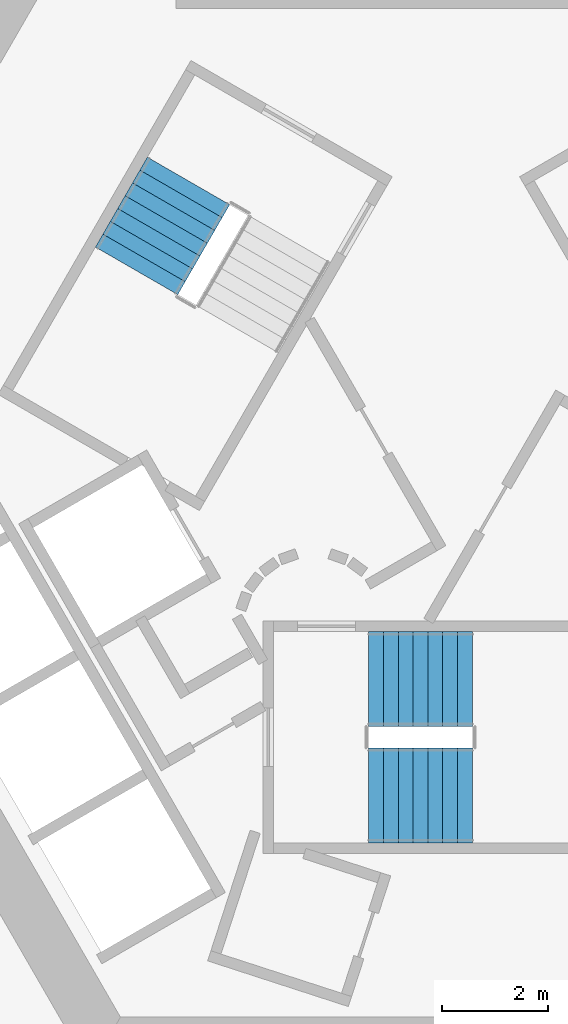
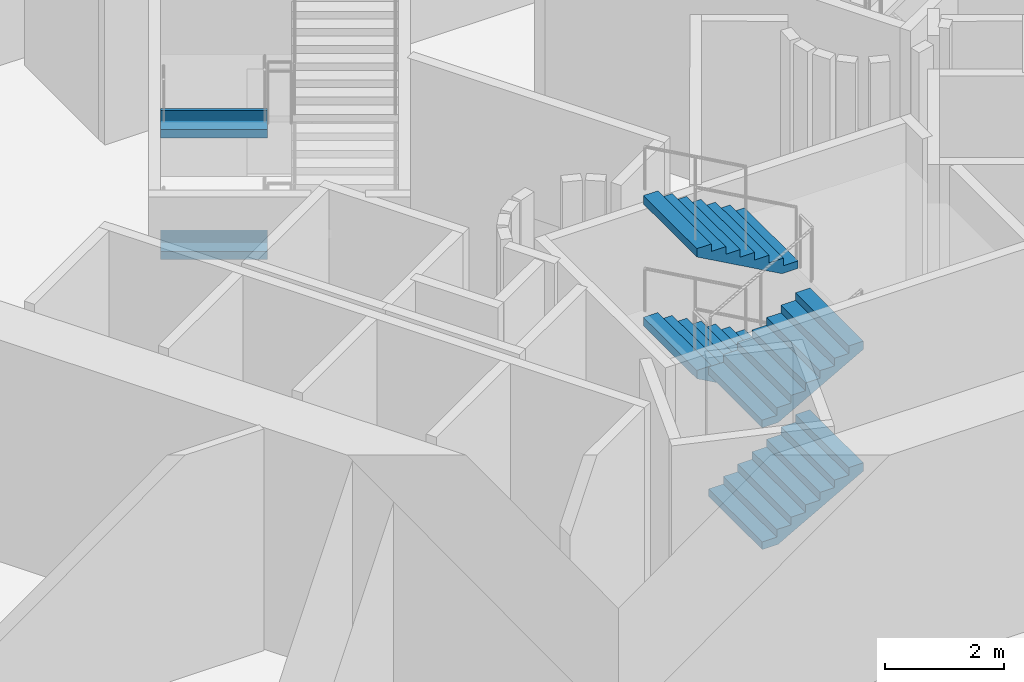
# One storey, part 10 of 16: 6 stair flights, 2 elements without a shape of their own.
"""IFC4 building model written with IfcOpenShell, lengths in metres."""

from ifc_helpers import new_model, si_unit, direction, frame, origin, place, context, subcontext, project, spatial, triangles, material, type_object, element, aggregate, save


model = new_model("IFC4")

# Units and contexts
model_context = context("Model", 3, precision=1e-05, world=origin(), true_north=direction((0.0, 1.0)))
body_context = subcontext(model_context, "Body", "Model", "MODEL_VIEW")
ifc_project = project(units=[si_unit("LENGTHUNIT", "METRE"), si_unit("AREAUNIT", "SQUARE_METRE"), si_unit("VOLUMEUNIT", "CUBIC_METRE"), si_unit("PLANEANGLEUNIT", "RADIAN"), si_unit("MASSUNIT", "GRAM", prefix="KILO")], contexts=[model_context])

# Site, building, storey
site_placement = place(None, origin())
site = spatial("IfcSite", under=ifc_project, at=site_placement, CompositionType="ELEMENT")
building_placement = place(site_placement, origin())
building = spatial("IfcBuilding", under=site, at=building_placement, Name="Entoto Arch Interchange Tower", CompositionType="ELEMENT")
storey_placement = place(building_placement, frame((0.0, 0.0, 25.0)))
storey = spatial("IfcBuildingStorey", under=building, at=storey_placement, Name="L04", CompositionType="ELEMENT", Elevation=25.0)

# Stair, stair flights
ifc_material = material(Name="Concrete C40/50", Category="concrete")
stair_type = type_object("IfcStairType", Name="EXIT STAIR RC 1800", PredefinedType="HALF_TURN_STAIR", material=ifc_material)
stair_1_placement = place(storey_placement, origin())
stair_1 = element("IfcStair", 1, at=stair_1_placement, inside=storey, type_object=stair_type, Name="L04 Exit stair S", PredefinedType="HALF_TURN_STAIR")
stair_flight_type = type_object("IfcStairFlightType", Name="EXIT STAIR FLIGHT RC 1800", PredefinedType="STRAIGHT", material=ifc_material)
stair_flight_1_placement = place(storey_placement, frame((-1.64990234375, -4.300048828125, 0.0), z_axis=(0.0, 0.0, 1.0), x_axis=(1.0, 0.0, 0.0)))
stair_flight_1 = element("IfcStairFlight", 2, at=stair_flight_1_placement, type_object=stair_flight_type, Name="ST-S flight 1", NumberOfRisers=8, NumberOfTreads=7, PredefinedType="STRAIGHT", RiserHeight=0.15625, TreadLength=0.28, context=body_context, shape_type="Tessellation", body=[
    triangles([(-0.003, -0.900024, 0.0), (-0.003, -0.900024, 0.15625), (0.28, -0.900024, 0.15625), (0.28, -0.900024, 0.3125), (0.56, -0.900024, 0.3125), (0.56, -0.900024, 0.46875), (0.84, -0.900024, 0.46875), (0.84, -0.900024, 0.625), (1.12, -0.900024, 0.625), (1.12, -0.900024, 0.78125), (1.4, -0.900024, 0.78125), (1.4, -0.900024, 0.9375), (1.68, -0.900024, 0.9375), (1.68, -0.900024, 1.09375), (1.96, -0.900024, 1.09375), (1.963, -0.900024, 1.09375), (1.963, -0.900024, 0.923761), (0.30762, -0.900024, 0.0), (-0.003, 0.900024, 0.0), (-0.003, 0.900024, 0.15625), (0.28, 0.900024, 0.15625), (0.28, 0.900024, 0.3125), (0.56, 0.900024, 0.3125), (0.56, 0.900024, 0.46875), (0.84, 0.900024, 0.46875), (0.84, 0.900024, 0.625), (1.12, 0.900024, 0.625), (1.12, 0.900024, 0.78125), (1.4, 0.900024, 0.78125), (1.4, 0.900024, 0.9375), (1.68, 0.900024, 0.9375), (1.68, 0.900024, 1.09375), (1.96, 0.900024, 1.09375), (1.963, 0.900024, 1.09375), (1.963, 0.900024, 0.923761), (0.30762, 0.900024, 0.0), (-0.003, -0.450012, 0.0), (-0.003, -0.450012, 0.15625), (-0.003, 0.0, 0.0), (-0.003, 0.0, 0.15625), (-0.003, 0.450012, 0.0), (-0.003, 0.450012, 0.15625), (0.28, -0.450012, 0.15625), (0.28, 0.0, 0.15625), (0.28, 0.450012, 0.15625), (0.28, -0.450012, 0.3125), (0.28, 0.0, 0.3125), (0.28, 0.450012, 0.3125), (0.56, -0.450012, 0.3125), (0.56, 0.0, 0.3125), (0.56, 0.450012, 0.3125), (0.56, -0.450012, 0.46875), (0.56, 0.0, 0.46875), (0.56, 0.450012, 0.46875), (0.84, -0.450012, 0.46875), (0.84, 0.0, 0.46875), (0.84, 0.450012, 0.46875), (0.84, -0.450012, 0.625), (0.84, 0.0, 0.625), (0.84, 0.450012, 0.625), (1.12, -0.450012, 0.625), (1.12, 0.0, 0.625), (1.12, 0.450012, 0.625), (1.12, -0.450012, 0.78125), (1.12, 0.0, 0.78125), (1.12, 0.450012, 0.78125), (1.4, -0.450012, 0.78125), (1.4, 0.0, 0.78125), (1.4, 0.450012, 0.78125), (1.4, -0.450012, 0.9375), (1.4, 0.0, 0.9375), (1.4, 0.450012, 0.9375), (1.68, -0.450012, 0.9375), (1.68, 0.0, 0.9375), (1.68, 0.450012, 0.9375), (1.68, -0.450012, 1.09375), (1.68, 0.0, 1.09375), (1.68, 0.450012, 1.09375), (1.96, -0.450012, 1.09375), (1.96, 0.0, 1.09375), (1.96, 0.450012, 1.09375), (1.963, -0.450012, 1.09375), (1.963, 0.0, 1.09375), (1.963, 0.450012, 1.09375), (1.963, -0.450012, 0.923761), (1.963, 0.0, 0.923761), (1.963, 0.450012, 0.923761), (0.30762, -0.450012, 0.0), (0.30762, 0.0, 0.0), (0.30762, 0.450012, 0.0)], [[1, 18, 17], [17, 16, 15], [17, 15, 14], [17, 14, 13], [17, 13, 12], [17, 12, 11], [11, 10, 9], [17, 11, 9], [9, 8, 7], [17, 9, 7], [7, 6, 5], [17, 7, 5], [5, 4, 3], [17, 5, 3], [1, 17, 3], [3, 2, 1], [19, 35, 36], [35, 33, 34], [35, 32, 33], [35, 31, 32], [35, 30, 31], [35, 29, 30], [29, 27, 28], [35, 27, 29], [27, 25, 26], [35, 25, 27], [25, 23, 24], [35, 23, 25], [23, 21, 22], [35, 21, 23], [19, 21, 35], [21, 19, 20], [1, 2, 38], [1, 38, 37], [37, 38, 40], [37, 40, 39], [39, 40, 42], [39, 42, 41], [41, 42, 20], [41, 20, 19], [2, 3, 43], [2, 43, 38], [38, 43, 44], [38, 44, 40], [40, 44, 45], [40, 45, 42], [42, 45, 21], [42, 21, 20], [3, 4, 46], [3, 46, 43], [43, 46, 47], [43, 47, 44], [44, 47, 48], [44, 48, 45], [45, 48, 22], [45, 22, 21], [4, 5, 49], [4, 49, 46], [46, 49, 50], [46, 50, 47], [47, 50, 51], [47, 51, 48], [48, 51, 23], [48, 23, 22], [5, 6, 52], [5, 52, 49], [49, 52, 53], [49, 53, 50], [50, 53, 54], [50, 54, 51], [51, 54, 24], [51, 24, 23], [6, 7, 55], [6, 55, 52], [52, 55, 56], [52, 56, 53], [53, 56, 57], [53, 57, 54], [54, 57, 25], [54, 25, 24], [7, 8, 58], [7, 58, 55], [55, 58, 59], [55, 59, 56], [56, 59, 60], [56, 60, 57], [57, 60, 26], [57, 26, 25], [8, 9, 61], [8, 61, 58], [58, 61, 62], [58, 62, 59], [59, 62, 63], [59, 63, 60], [60, 63, 27], [60, 27, 26], [9, 10, 64], [9, 64, 61], [61, 64, 65], [61, 65, 62], [62, 65, 66], [62, 66, 63], [63, 66, 28], [63, 28, 27], [10, 11, 67], [10, 67, 64], [64, 67, 68], [64, 68, 65], [65, 68, 69], [65, 69, 66], [66, 69, 29], [66, 29, 28], [11, 12, 70], [11, 70, 67], [67, 70, 71], [67, 71, 68], [68, 71, 72], [68, 72, 69], [69, 72, 30], [69, 30, 29], [12, 13, 73], [12, 73, 70], [70, 73, 74], [70, 74, 71], [71, 74, 75], [71, 75, 72], [72, 75, 31], [72, 31, 30], [13, 14, 76], [13, 76, 73], [73, 76, 77], [73, 77, 74], [74, 77, 78], [74, 78, 75], [75, 78, 32], [75, 32, 31], [14, 15, 79], [14, 79, 76], [76, 79, 80], [76, 80, 77], [77, 80, 81], [77, 81, 78], [78, 81, 33], [78, 33, 32], [15, 16, 82], [15, 82, 79], [79, 82, 83], [79, 83, 80], [80, 83, 84], [80, 84, 81], [81, 84, 34], [81, 34, 33], [16, 17, 85], [16, 85, 82], [82, 85, 86], [82, 86, 83], [83, 86, 87], [83, 87, 84], [84, 87, 35], [84, 35, 34], [17, 18, 88], [17, 88, 85], [85, 88, 89], [85, 89, 86], [86, 89, 90], [86, 90, 87], [87, 90, 36], [87, 36, 35], [18, 1, 37], [18, 37, 88], [88, 37, 39], [88, 39, 89], [89, 39, 41], [89, 41, 90], [90, 41, 19], [90, 19, 36]], closed=True),
])
stair_flight_2_placement = place(storey_placement, frame((0.31005859375, -2.10009765625, 1.25), z_axis=(0.0, 0.0, 1.0), x_axis=(-1.0, 0.0, 0.0)))
stair_flight_2 = element("IfcStairFlight", 3, at=stair_flight_2_placement, type_object=stair_flight_type, Name="ST-S flight 2", NumberOfRisers=8, NumberOfTreads=7, PredefinedType="STRAIGHT", RiserHeight=0.15625, TreadLength=0.28, context=body_context, shape_type="Tessellation", body=[
    triangles([(-0.003, -0.900024, 0.0), (-0.003, -0.900024, 0.15625), (0.28, -0.900024, 0.15625), (0.28, -0.900024, 0.3125), (0.56, -0.900024, 0.3125), (0.56, -0.900024, 0.46875), (0.84, -0.900024, 0.46875), (0.84, -0.900024, 0.625), (1.12, -0.900024, 0.625), (1.12, -0.900024, 0.78125), (1.4, -0.900024, 0.78125), (1.4, -0.900024, 0.9375), (1.68, -0.900024, 0.9375), (1.68, -0.900024, 1.09375), (1.96, -0.900024, 1.09375), (1.963, -0.900024, 1.09375), (1.963, -0.900024, 0.923761), (0.30762, -0.900024, 0.0), (-0.003, 0.900024, 0.0), (-0.003, 0.900024, 0.15625), (0.28, 0.900024, 0.15625), (0.28, 0.900024, 0.3125), (0.56, 0.900024, 0.3125), (0.56, 0.900024, 0.46875), (0.84, 0.900024, 0.46875), (0.84, 0.900024, 0.625), (1.12, 0.900024, 0.625), (1.12, 0.900024, 0.78125), (1.4, 0.900024, 0.78125), (1.4, 0.900024, 0.9375), (1.68, 0.900024, 0.9375), (1.68, 0.900024, 1.09375), (1.96, 0.900024, 1.09375), (1.963, 0.900024, 1.09375), (1.963, 0.900024, 0.923761), (0.30762, 0.900024, 0.0), (-0.003, -0.450012, 0.0), (-0.003, -0.450012, 0.15625), (-0.003, 0.0, 0.0), (-0.003, 0.0, 0.15625), (-0.003, 0.450012, 0.0), (-0.003, 0.450012, 0.15625), (0.28, -0.450012, 0.15625), (0.28, 0.0, 0.15625), (0.28, 0.450012, 0.15625), (0.28, -0.450012, 0.3125), (0.28, 0.0, 0.3125), (0.28, 0.450012, 0.3125), (0.56, -0.450012, 0.3125), (0.56, 0.0, 0.3125), (0.56, 0.450012, 0.3125), (0.56, -0.450012, 0.46875), (0.56, 0.0, 0.46875), (0.56, 0.450012, 0.46875), (0.84, -0.450012, 0.46875), (0.84, 0.0, 0.46875), (0.84, 0.450012, 0.46875), (0.84, -0.450012, 0.625), (0.84, 0.0, 0.625), (0.84, 0.450012, 0.625), (1.12, -0.450012, 0.625), (1.12, 0.0, 0.625), (1.12, 0.450012, 0.625), (1.12, -0.450012, 0.78125), (1.12, 0.0, 0.78125), (1.12, 0.450012, 0.78125), (1.4, -0.450012, 0.78125), (1.4, 0.0, 0.78125), (1.4, 0.450012, 0.78125), (1.4, -0.450012, 0.9375), (1.4, 0.0, 0.9375), (1.4, 0.450012, 0.9375), (1.68, -0.450012, 0.9375), (1.68, 0.0, 0.9375), (1.68, 0.450012, 0.9375), (1.68, -0.450012, 1.09375), (1.68, 0.0, 1.09375), (1.68, 0.450012, 1.09375), (1.96, -0.450012, 1.09375), (1.96, 0.0, 1.09375), (1.96, 0.450012, 1.09375), (1.963, -0.450012, 1.09375), (1.963, 0.0, 1.09375), (1.963, 0.450012, 1.09375), (1.963, -0.450012, 0.923761), (1.963, 0.0, 0.923761), (1.963, 0.450012, 0.923761), (0.30762, -0.450012, 0.0), (0.30762, 0.0, 0.0), (0.30762, 0.450012, 0.0)], [[1, 18, 17], [17, 16, 15], [17, 15, 14], [17, 14, 13], [17, 13, 12], [17, 12, 11], [11, 10, 9], [17, 11, 9], [9, 8, 7], [17, 9, 7], [7, 6, 5], [17, 7, 5], [5, 4, 3], [17, 5, 3], [1, 17, 3], [3, 2, 1], [19, 35, 36], [35, 33, 34], [35, 32, 33], [35, 31, 32], [35, 30, 31], [35, 29, 30], [29, 27, 28], [35, 27, 29], [27, 25, 26], [35, 25, 27], [25, 23, 24], [35, 23, 25], [23, 21, 22], [35, 21, 23], [19, 21, 35], [21, 19, 20], [1, 2, 38], [1, 38, 37], [37, 38, 40], [37, 40, 39], [39, 40, 42], [39, 42, 41], [41, 42, 20], [41, 20, 19], [2, 3, 43], [2, 43, 38], [38, 43, 44], [38, 44, 40], [40, 44, 45], [40, 45, 42], [42, 45, 21], [42, 21, 20], [3, 4, 46], [3, 46, 43], [43, 46, 47], [43, 47, 44], [44, 47, 48], [44, 48, 45], [45, 48, 22], [45, 22, 21], [4, 5, 49], [4, 49, 46], [46, 49, 50], [46, 50, 47], [47, 50, 51], [47, 51, 48], [48, 51, 23], [48, 23, 22], [5, 6, 52], [5, 52, 49], [49, 52, 53], [49, 53, 50], [50, 53, 54], [50, 54, 51], [51, 54, 24], [51, 24, 23], [6, 7, 55], [6, 55, 52], [52, 55, 56], [52, 56, 53], [53, 56, 57], [53, 57, 54], [54, 57, 25], [54, 25, 24], [7, 8, 58], [7, 58, 55], [55, 58, 59], [55, 59, 56], [56, 59, 60], [56, 60, 57], [57, 60, 26], [57, 26, 25], [8, 9, 61], [8, 61, 58], [58, 61, 62], [58, 62, 59], [59, 62, 63], [59, 63, 60], [60, 63, 27], [60, 27, 26], [9, 10, 64], [9, 64, 61], [61, 64, 65], [61, 65, 62], [62, 65, 66], [62, 66, 63], [63, 66, 28], [63, 28, 27], [10, 11, 67], [10, 67, 64], [64, 67, 68], [64, 68, 65], [65, 68, 69], [65, 69, 66], [66, 69, 29], [66, 29, 28], [11, 12, 70], [11, 70, 67], [67, 70, 71], [67, 71, 68], [68, 71, 72], [68, 72, 69], [69, 72, 30], [69, 30, 29], [12, 13, 73], [12, 73, 70], [70, 73, 74], [70, 74, 71], [71, 74, 75], [71, 75, 72], [72, 75, 31], [72, 31, 30], [13, 14, 76], [13, 76, 73], [73, 76, 77], [73, 77, 74], [74, 77, 78], [74, 78, 75], [75, 78, 32], [75, 32, 31], [14, 15, 79], [14, 79, 76], [76, 79, 80], [76, 80, 77], [77, 80, 81], [77, 81, 78], [78, 81, 33], [78, 33, 32], [15, 16, 82], [15, 82, 79], [79, 82, 83], [79, 83, 80], [80, 83, 84], [80, 84, 81], [81, 84, 34], [81, 34, 33], [16, 17, 85], [16, 85, 82], [82, 85, 86], [82, 86, 83], [83, 86, 87], [83, 87, 84], [84, 87, 35], [84, 35, 34], [17, 18, 88], [17, 88, 85], [85, 88, 89], [85, 89, 86], [86, 89, 90], [86, 90, 87], [87, 90, 36], [87, 36, 35], [18, 1, 37], [18, 37, 88], [88, 37, 39], [88, 39, 89], [89, 39, 41], [89, 41, 90], [90, 41, 19], [90, 19, 36]], closed=True),
])
stair_flight_3_placement = place(storey_placement, frame((-1.64990234375, -4.300048828125, 2.5), z_axis=(0.0, 0.0, 1.0), x_axis=(1.0, 0.0, 0.0)))
stair_flight_3 = element("IfcStairFlight", 4, at=stair_flight_3_placement, type_object=stair_flight_type, Name="ST-S flight 3", NumberOfRisers=8, NumberOfTreads=7, PredefinedType="STRAIGHT", RiserHeight=0.15625, TreadLength=0.28, context=body_context, shape_type="Tessellation", body=[
    triangles([(-0.003, -0.900024, 0.0), (-0.003, -0.900024, 0.15625), (0.28, -0.900024, 0.15625), (0.28, -0.900024, 0.3125), (0.56, -0.900024, 0.3125), (0.56, -0.900024, 0.46875), (0.84, -0.900024, 0.46875), (0.84, -0.900024, 0.625), (1.12, -0.900024, 0.625), (1.12, -0.900024, 0.78125), (1.4, -0.900024, 0.78125), (1.4, -0.900024, 0.9375), (1.68, -0.900024, 0.9375), (1.68, -0.900024, 1.09375), (1.96, -0.900024, 1.09375), (1.963, -0.900024, 1.09375), (1.963, -0.900024, 0.923761), (0.30762, -0.900024, 0.0), (-0.003, 0.900024, 0.0), (-0.003, 0.900024, 0.15625), (0.28, 0.900024, 0.15625), (0.28, 0.900024, 0.3125), (0.56, 0.900024, 0.3125), (0.56, 0.900024, 0.46875), (0.84, 0.900024, 0.46875), (0.84, 0.900024, 0.625), (1.12, 0.900024, 0.625), (1.12, 0.900024, 0.78125), (1.4, 0.900024, 0.78125), (1.4, 0.900024, 0.9375), (1.68, 0.900024, 0.9375), (1.68, 0.900024, 1.09375), (1.96, 0.900024, 1.09375), (1.963, 0.900024, 1.09375), (1.963, 0.900024, 0.923761), (0.30762, 0.900024, 0.0), (-0.003, -0.450012, 0.0), (-0.003, -0.450012, 0.15625), (-0.003, 0.0, 0.0), (-0.003, 0.0, 0.15625), (-0.003, 0.450012, 0.0), (-0.003, 0.450012, 0.15625), (0.28, -0.450012, 0.15625), (0.28, 0.0, 0.15625), (0.28, 0.450012, 0.15625), (0.28, -0.450012, 0.3125), (0.28, 0.0, 0.3125), (0.28, 0.450012, 0.3125), (0.56, -0.450012, 0.3125), (0.56, 0.0, 0.3125), (0.56, 0.450012, 0.3125), (0.56, -0.450012, 0.46875), (0.56, 0.0, 0.46875), (0.56, 0.450012, 0.46875), (0.84, -0.450012, 0.46875), (0.84, 0.0, 0.46875), (0.84, 0.450012, 0.46875), (0.84, -0.450012, 0.625), (0.84, 0.0, 0.625), (0.84, 0.450012, 0.625), (1.12, -0.450012, 0.625), (1.12, 0.0, 0.625), (1.12, 0.450012, 0.625), (1.12, -0.450012, 0.78125), (1.12, 0.0, 0.78125), (1.12, 0.450012, 0.78125), (1.4, -0.450012, 0.78125), (1.4, 0.0, 0.78125), (1.4, 0.450012, 0.78125), (1.4, -0.450012, 0.9375), (1.4, 0.0, 0.9375), (1.4, 0.450012, 0.9375), (1.68, -0.450012, 0.9375), (1.68, 0.0, 0.9375), (1.68, 0.450012, 0.9375), (1.68, -0.450012, 1.09375), (1.68, 0.0, 1.09375), (1.68, 0.450012, 1.09375), (1.96, -0.450012, 1.09375), (1.96, 0.0, 1.09375), (1.96, 0.450012, 1.09375), (1.963, -0.450012, 1.09375), (1.963, 0.0, 1.09375), (1.963, 0.450012, 1.09375), (1.963, -0.450012, 0.923761), (1.963, 0.0, 0.923761), (1.963, 0.450012, 0.923761), (0.30762, -0.450012, 0.0), (0.30762, 0.0, 0.0), (0.30762, 0.450012, 0.0)], [[1, 18, 17], [17, 16, 15], [17, 15, 14], [17, 14, 13], [17, 13, 12], [17, 12, 11], [11, 10, 9], [17, 11, 9], [9, 8, 7], [17, 9, 7], [7, 6, 5], [17, 7, 5], [5, 4, 3], [17, 5, 3], [1, 17, 3], [3, 2, 1], [19, 35, 36], [35, 33, 34], [35, 32, 33], [35, 31, 32], [35, 30, 31], [35, 29, 30], [29, 27, 28], [35, 27, 29], [27, 25, 26], [35, 25, 27], [25, 23, 24], [35, 23, 25], [23, 21, 22], [35, 21, 23], [19, 21, 35], [21, 19, 20], [1, 2, 38], [1, 38, 37], [37, 38, 40], [37, 40, 39], [39, 40, 42], [39, 42, 41], [41, 42, 20], [41, 20, 19], [2, 3, 43], [2, 43, 38], [38, 43, 44], [38, 44, 40], [40, 44, 45], [40, 45, 42], [42, 45, 21], [42, 21, 20], [3, 4, 46], [3, 46, 43], [43, 46, 47], [43, 47, 44], [44, 47, 48], [44, 48, 45], [45, 48, 22], [45, 22, 21], [4, 5, 49], [4, 49, 46], [46, 49, 50], [46, 50, 47], [47, 50, 51], [47, 51, 48], [48, 51, 23], [48, 23, 22], [5, 6, 52], [5, 52, 49], [49, 52, 53], [49, 53, 50], [50, 53, 54], [50, 54, 51], [51, 54, 24], [51, 24, 23], [6, 7, 55], [6, 55, 52], [52, 55, 56], [52, 56, 53], [53, 56, 57], [53, 57, 54], [54, 57, 25], [54, 25, 24], [7, 8, 58], [7, 58, 55], [55, 58, 59], [55, 59, 56], [56, 59, 60], [56, 60, 57], [57, 60, 26], [57, 26, 25], [8, 9, 61], [8, 61, 58], [58, 61, 62], [58, 62, 59], [59, 62, 63], [59, 63, 60], [60, 63, 27], [60, 27, 26], [9, 10, 64], [9, 64, 61], [61, 64, 65], [61, 65, 62], [62, 65, 66], [62, 66, 63], [63, 66, 28], [63, 28, 27], [10, 11, 67], [10, 67, 64], [64, 67, 68], [64, 68, 65], [65, 68, 69], [65, 69, 66], [66, 69, 29], [66, 29, 28], [11, 12, 70], [11, 70, 67], [67, 70, 71], [67, 71, 68], [68, 71, 72], [68, 72, 69], [69, 72, 30], [69, 30, 29], [12, 13, 73], [12, 73, 70], [70, 73, 74], [70, 74, 71], [71, 74, 75], [71, 75, 72], [72, 75, 31], [72, 31, 30], [13, 14, 76], [13, 76, 73], [73, 76, 77], [73, 77, 74], [74, 77, 78], [74, 78, 75], [75, 78, 32], [75, 32, 31], [14, 15, 79], [14, 79, 76], [76, 79, 80], [76, 80, 77], [77, 80, 81], [77, 81, 78], [78, 81, 33], [78, 33, 32], [15, 16, 82], [15, 82, 79], [79, 82, 83], [79, 83, 80], [80, 83, 84], [80, 84, 81], [81, 84, 34], [81, 34, 33], [16, 17, 85], [16, 85, 82], [82, 85, 86], [82, 86, 83], [83, 86, 87], [83, 87, 84], [84, 87, 35], [84, 35, 34], [17, 18, 88], [17, 88, 85], [85, 88, 89], [85, 89, 86], [86, 89, 90], [86, 90, 87], [87, 90, 36], [87, 36, 35], [18, 1, 37], [18, 37, 88], [88, 37, 39], [88, 39, 89], [89, 39, 41], [89, 41, 90], [90, 41, 19], [90, 19, 36]], closed=True),
])
stair_flight_4_placement = place(storey_placement, frame((0.31005859375, -2.10009765625, 3.75), z_axis=(0.0, 0.0, 1.0), x_axis=(-1.0, 0.0, 0.0)))
stair_flight_4 = element("IfcStairFlight", 5, at=stair_flight_4_placement, type_object=stair_flight_type, Name="ST-S flight 4", NumberOfRisers=8, NumberOfTreads=7, PredefinedType="STRAIGHT", RiserHeight=0.15625, TreadLength=0.28, context=body_context, shape_type="Tessellation", body=[
    triangles([(-0.003, -0.900024, 0.0), (-0.003, -0.900024, 0.15625), (0.28, -0.900024, 0.15625), (0.28, -0.900024, 0.3125), (0.56, -0.900024, 0.3125), (0.56, -0.900024, 0.46875), (0.84, -0.900024, 0.46875), (0.84, -0.900024, 0.625), (1.12, -0.900024, 0.625), (1.12, -0.900024, 0.78125), (1.4, -0.900024, 0.78125), (1.4, -0.900024, 0.9375), (1.68, -0.900024, 0.9375), (1.68, -0.900024, 1.09375), (1.96, -0.900024, 1.09375), (1.963, -0.900024, 1.09375), (1.963, -0.900024, 0.923761), (0.30762, -0.900024, 0.0), (-0.003, 0.900024, 0.0), (-0.003, 0.900024, 0.15625), (0.28, 0.900024, 0.15625), (0.28, 0.900024, 0.3125), (0.56, 0.900024, 0.3125), (0.56, 0.900024, 0.46875), (0.84, 0.900024, 0.46875), (0.84, 0.900024, 0.625), (1.12, 0.900024, 0.625), (1.12, 0.900024, 0.78125), (1.4, 0.900024, 0.78125), (1.4, 0.900024, 0.9375), (1.68, 0.900024, 0.9375), (1.68, 0.900024, 1.09375), (1.96, 0.900024, 1.09375), (1.963, 0.900024, 1.09375), (1.963, 0.900024, 0.923761), (0.30762, 0.900024, 0.0), (-0.003, -0.450012, 0.0), (-0.003, -0.450012, 0.15625), (-0.003, 0.0, 0.0), (-0.003, 0.0, 0.15625), (-0.003, 0.450012, 0.0), (-0.003, 0.450012, 0.15625), (0.28, -0.450012, 0.15625), (0.28, 0.0, 0.15625), (0.28, 0.450012, 0.15625), (0.28, -0.450012, 0.3125), (0.28, 0.0, 0.3125), (0.28, 0.450012, 0.3125), (0.56, -0.450012, 0.3125), (0.56, 0.0, 0.3125), (0.56, 0.450012, 0.3125), (0.56, -0.450012, 0.46875), (0.56, 0.0, 0.46875), (0.56, 0.450012, 0.46875), (0.84, -0.450012, 0.46875), (0.84, 0.0, 0.46875), (0.84, 0.450012, 0.46875), (0.84, -0.450012, 0.625), (0.84, 0.0, 0.625), (0.84, 0.450012, 0.625), (1.12, -0.450012, 0.625), (1.12, 0.0, 0.625), (1.12, 0.450012, 0.625), (1.12, -0.450012, 0.78125), (1.12, 0.0, 0.78125), (1.12, 0.450012, 0.78125), (1.4, -0.450012, 0.78125), (1.4, 0.0, 0.78125), (1.4, 0.450012, 0.78125), (1.4, -0.450012, 0.9375), (1.4, 0.0, 0.9375), (1.4, 0.450012, 0.9375), (1.68, -0.450012, 0.9375), (1.68, 0.0, 0.9375), (1.68, 0.450012, 0.9375), (1.68, -0.450012, 1.09375), (1.68, 0.0, 1.09375), (1.68, 0.450012, 1.09375), (1.96, -0.450012, 1.09375), (1.96, 0.0, 1.09375), (1.96, 0.450012, 1.09375), (1.963, -0.450012, 1.09375), (1.963, 0.0, 1.09375), (1.963, 0.450012, 1.09375), (1.963, -0.450012, 0.923761), (1.963, 0.0, 0.923761), (1.963, 0.450012, 0.923761), (0.30762, -0.450012, 0.0), (0.30762, 0.0, 0.0), (0.30762, 0.450012, 0.0)], [[1, 18, 17], [17, 16, 15], [17, 15, 14], [17, 14, 13], [17, 13, 12], [17, 12, 11], [11, 10, 9], [17, 11, 9], [9, 8, 7], [17, 9, 7], [7, 6, 5], [17, 7, 5], [5, 4, 3], [17, 5, 3], [1, 17, 3], [3, 2, 1], [19, 35, 36], [35, 33, 34], [35, 32, 33], [35, 31, 32], [35, 30, 31], [35, 29, 30], [29, 27, 28], [35, 27, 29], [27, 25, 26], [35, 25, 27], [25, 23, 24], [35, 23, 25], [23, 21, 22], [35, 21, 23], [19, 21, 35], [21, 19, 20], [1, 2, 38], [1, 38, 37], [37, 38, 40], [37, 40, 39], [39, 40, 42], [39, 42, 41], [41, 42, 20], [41, 20, 19], [2, 3, 43], [2, 43, 38], [38, 43, 44], [38, 44, 40], [40, 44, 45], [40, 45, 42], [42, 45, 21], [42, 21, 20], [3, 4, 46], [3, 46, 43], [43, 46, 47], [43, 47, 44], [44, 47, 48], [44, 48, 45], [45, 48, 22], [45, 22, 21], [4, 5, 49], [4, 49, 46], [46, 49, 50], [46, 50, 47], [47, 50, 51], [47, 51, 48], [48, 51, 23], [48, 23, 22], [5, 6, 52], [5, 52, 49], [49, 52, 53], [49, 53, 50], [50, 53, 54], [50, 54, 51], [51, 54, 24], [51, 24, 23], [6, 7, 55], [6, 55, 52], [52, 55, 56], [52, 56, 53], [53, 56, 57], [53, 57, 54], [54, 57, 25], [54, 25, 24], [7, 8, 58], [7, 58, 55], [55, 58, 59], [55, 59, 56], [56, 59, 60], [56, 60, 57], [57, 60, 26], [57, 26, 25], [8, 9, 61], [8, 61, 58], [58, 61, 62], [58, 62, 59], [59, 62, 63], [59, 63, 60], [60, 63, 27], [60, 27, 26], [9, 10, 64], [9, 64, 61], [61, 64, 65], [61, 65, 62], [62, 65, 66], [62, 66, 63], [63, 66, 28], [63, 28, 27], [10, 11, 67], [10, 67, 64], [64, 67, 68], [64, 68, 65], [65, 68, 69], [65, 69, 66], [66, 69, 29], [66, 29, 28], [11, 12, 70], [11, 70, 67], [67, 70, 71], [67, 71, 68], [68, 71, 72], [68, 72, 69], [69, 72, 30], [69, 30, 29], [12, 13, 73], [12, 73, 70], [70, 73, 74], [70, 74, 71], [71, 74, 75], [71, 75, 72], [72, 75, 31], [72, 31, 30], [13, 14, 76], [13, 76, 73], [73, 76, 77], [73, 77, 74], [74, 77, 78], [74, 78, 75], [75, 78, 32], [75, 32, 31], [14, 15, 79], [14, 79, 76], [76, 79, 80], [76, 80, 77], [77, 80, 81], [77, 81, 78], [78, 81, 33], [78, 33, 32], [15, 16, 82], [15, 82, 79], [79, 82, 83], [79, 83, 80], [80, 83, 84], [80, 84, 81], [81, 84, 34], [81, 34, 33], [16, 17, 85], [16, 85, 82], [82, 85, 86], [82, 86, 83], [83, 86, 87], [83, 87, 84], [84, 87, 35], [84, 35, 34], [17, 18, 88], [17, 88, 85], [85, 88, 89], [85, 89, 86], [86, 89, 90], [86, 90, 87], [87, 90, 36], [87, 36, 35], [18, 1, 37], [18, 37, 88], [88, 37, 39], [88, 39, 89], [89, 39, 41], [89, 41, 90], [90, 41, 19], [90, 19, 36]], closed=True),
])
aggregate(stair_1, [stair_flight_1, stair_flight_2, stair_flight_3, stair_flight_4])

stair_2_placement = place(storey_placement, origin())
stair_2 = element("IfcStair", 6, at=stair_2_placement, inside=storey, type_object=stair_type, Name="L04 Exit stair NW", PredefinedType="HALF_TURN_STAIR")
stair_flight_5_placement = place(storey_placement, frame((-5.06396484375, 7.328857421875, 0.0), z_axis=(0.0, 0.0, 1.0), x_axis=(-0.5, -0.866025403784, 0.0)))
stair_flight_5 = element("IfcStairFlight", 7, at=stair_flight_5_placement, type_object=stair_flight_type, Name="ST-NW flight 1", NumberOfRisers=8, NumberOfTreads=7, PredefinedType="STRAIGHT", RiserHeight=0.15625, TreadLength=0.28, context=body_context, shape_type="Tessellation", body=[
    triangles([(-0.003, -0.900024, 0.0), (-0.003, -0.900024, 0.15625), (0.28, -0.900024, 0.15625), (0.28, -0.900024, 0.3125), (0.56, -0.900024, 0.3125), (0.56, -0.900024, 0.46875), (0.84, -0.900024, 0.46875), (0.84, -0.900024, 0.625), (1.12, -0.900024, 0.625), (1.12, -0.900024, 0.78125), (1.4, -0.900024, 0.78125), (1.4, -0.900024, 0.9375), (1.68, -0.900024, 0.9375), (1.68, -0.900024, 1.09375), (1.96, -0.900024, 1.09375), (1.963, -0.900024, 1.09375), (1.963, -0.900024, 0.923761), (0.30762, -0.900024, 0.0), (-0.003, 0.900024, 0.0), (-0.003, 0.900024, 0.15625), (0.28, 0.900024, 0.15625), (0.28, 0.900024, 0.3125), (0.56, 0.900024, 0.3125), (0.56, 0.900024, 0.46875), (0.84, 0.900024, 0.46875), (0.84, 0.900024, 0.625), (1.12, 0.900024, 0.625), (1.12, 0.900024, 0.78125), (1.4, 0.900024, 0.78125), (1.4, 0.900024, 0.9375), (1.68, 0.900024, 0.9375), (1.68, 0.900024, 1.09375), (1.96, 0.900024, 1.09375), (1.963, 0.900024, 1.09375), (1.963, 0.900024, 0.923761), (0.30762, 0.900024, 0.0), (-0.003, -0.450012, 0.0), (-0.003, -0.450012, 0.15625), (-0.003, 0.0, 0.0), (-0.003, 0.0, 0.15625), (-0.003, 0.450012, 0.0), (-0.003, 0.450012, 0.15625), (0.28, -0.450012, 0.15625), (0.28, 0.0, 0.15625), (0.28, 0.450012, 0.15625), (0.28, -0.450012, 0.3125), (0.28, 0.0, 0.3125), (0.28, 0.450012, 0.3125), (0.56, -0.450012, 0.3125), (0.56, 0.0, 0.3125), (0.56, 0.450012, 0.3125), (0.56, -0.450012, 0.46875), (0.56, 0.0, 0.46875), (0.56, 0.450012, 0.46875), (0.84, -0.450012, 0.46875), (0.84, 0.0, 0.46875), (0.84, 0.450012, 0.46875), (0.84, -0.450012, 0.625), (0.84, 0.0, 0.625), (0.84, 0.450012, 0.625), (1.12, -0.450012, 0.625), (1.12, 0.0, 0.625), (1.12, 0.450012, 0.625), (1.12, -0.450012, 0.78125), (1.12, 0.0, 0.78125), (1.12, 0.450012, 0.78125), (1.4, -0.450012, 0.78125), (1.4, 0.0, 0.78125), (1.4, 0.450012, 0.78125), (1.4, -0.450012, 0.9375), (1.4, 0.0, 0.9375), (1.4, 0.450012, 0.9375), (1.68, -0.450012, 0.9375), (1.68, 0.0, 0.9375), (1.68, 0.450012, 0.9375), (1.68, -0.450012, 1.09375), (1.68, 0.0, 1.09375), (1.68, 0.450012, 1.09375), (1.96, -0.450012, 1.09375), (1.96, 0.0, 1.09375), (1.96, 0.450012, 1.09375), (1.963, -0.450012, 1.09375), (1.963, 0.0, 1.09375), (1.963, 0.450012, 1.09375), (1.963, -0.450012, 0.923761), (1.963, 0.0, 0.923761), (1.963, 0.450012, 0.923761), (0.30762, -0.450012, 0.0), (0.30762, 0.0, 0.0), (0.30762, 0.450012, 0.0)], [[1, 18, 17], [17, 16, 15], [17, 15, 14], [17, 14, 13], [17, 13, 12], [17, 12, 11], [11, 10, 9], [17, 11, 9], [9, 8, 7], [17, 9, 7], [7, 6, 5], [17, 7, 5], [5, 4, 3], [17, 5, 3], [1, 17, 3], [3, 2, 1], [19, 35, 36], [35, 33, 34], [35, 32, 33], [35, 31, 32], [35, 30, 31], [35, 29, 30], [29, 27, 28], [35, 27, 29], [27, 25, 26], [35, 25, 27], [25, 23, 24], [35, 23, 25], [23, 21, 22], [35, 21, 23], [19, 21, 35], [21, 19, 20], [1, 2, 38], [1, 38, 37], [37, 38, 40], [37, 40, 39], [39, 40, 42], [39, 42, 41], [41, 42, 20], [41, 20, 19], [2, 3, 43], [2, 43, 38], [38, 43, 44], [38, 44, 40], [40, 44, 45], [40, 45, 42], [42, 45, 21], [42, 21, 20], [3, 4, 46], [3, 46, 43], [43, 46, 47], [43, 47, 44], [44, 47, 48], [44, 48, 45], [45, 48, 22], [45, 22, 21], [4, 5, 49], [4, 49, 46], [46, 49, 50], [46, 50, 47], [47, 50, 51], [47, 51, 48], [48, 51, 23], [48, 23, 22], [5, 6, 52], [5, 52, 49], [49, 52, 53], [49, 53, 50], [50, 53, 54], [50, 54, 51], [51, 54, 24], [51, 24, 23], [6, 7, 55], [6, 55, 52], [52, 55, 56], [52, 56, 53], [53, 56, 57], [53, 57, 54], [54, 57, 25], [54, 25, 24], [7, 8, 58], [7, 58, 55], [55, 58, 59], [55, 59, 56], [56, 59, 60], [56, 60, 57], [57, 60, 26], [57, 26, 25], [8, 9, 61], [8, 61, 58], [58, 61, 62], [58, 62, 59], [59, 62, 63], [59, 63, 60], [60, 63, 27], [60, 27, 26], [9, 10, 64], [9, 64, 61], [61, 64, 65], [61, 65, 62], [62, 65, 66], [62, 66, 63], [63, 66, 28], [63, 28, 27], [10, 11, 67], [10, 67, 64], [64, 67, 68], [64, 68, 65], [65, 68, 69], [65, 69, 66], [66, 69, 29], [66, 29, 28], [11, 12, 70], [11, 70, 67], [67, 70, 71], [67, 71, 68], [68, 71, 72], [68, 72, 69], [69, 72, 30], [69, 30, 29], [12, 13, 73], [12, 73, 70], [70, 73, 74], [70, 74, 71], [71, 74, 75], [71, 75, 72], [72, 75, 31], [72, 31, 30], [13, 14, 76], [13, 76, 73], [73, 76, 77], [73, 77, 74], [74, 77, 78], [74, 78, 75], [75, 78, 32], [75, 32, 31], [14, 15, 79], [14, 79, 76], [76, 79, 80], [76, 80, 77], [77, 80, 81], [77, 81, 78], [78, 81, 33], [78, 33, 32], [15, 16, 82], [15, 82, 79], [79, 82, 83], [79, 83, 80], [80, 83, 84], [80, 84, 81], [81, 84, 34], [81, 34, 33], [16, 17, 85], [16, 85, 82], [82, 85, 86], [82, 86, 83], [83, 86, 87], [83, 87, 84], [84, 87, 35], [84, 35, 34], [17, 18, 88], [17, 88, 85], [85, 88, 89], [85, 89, 86], [86, 89, 90], [86, 90, 87], [87, 90, 36], [87, 36, 35], [18, 1, 37], [18, 37, 88], [88, 37, 39], [88, 39, 89], [89, 39, 41], [89, 41, 90], [90, 41, 19], [90, 19, 36]], closed=True),
])
stair_flight_6_placement = place(storey_placement, frame((-5.06396484375, 7.328857421875, 2.5), z_axis=(0.0, 0.0, 1.0), x_axis=(-0.5, -0.866025403784, 0.0)))
stair_flight_6 = element("IfcStairFlight", 8, at=stair_flight_6_placement, type_object=stair_flight_type, Name="ST-NW flight 3", NumberOfRisers=8, NumberOfTreads=7, PredefinedType="STRAIGHT", RiserHeight=0.15625, TreadLength=0.28, context=body_context, shape_type="Tessellation", body=[
    triangles([(-0.003, -0.900024, 0.0), (-0.003, -0.900024, 0.15625), (0.28, -0.900024, 0.15625), (0.28, -0.900024, 0.3125), (0.56, -0.900024, 0.3125), (0.56, -0.900024, 0.46875), (0.84, -0.900024, 0.46875), (0.84, -0.900024, 0.625), (1.12, -0.900024, 0.625), (1.12, -0.900024, 0.78125), (1.4, -0.900024, 0.78125), (1.4, -0.900024, 0.9375), (1.68, -0.900024, 0.9375), (1.68, -0.900024, 1.09375), (1.96, -0.900024, 1.09375), (1.963, -0.900024, 1.09375), (1.963, -0.900024, 0.923761), (0.30762, -0.900024, 0.0), (-0.003, 0.900024, 0.0), (-0.003, 0.900024, 0.15625), (0.28, 0.900024, 0.15625), (0.28, 0.900024, 0.3125), (0.56, 0.900024, 0.3125), (0.56, 0.900024, 0.46875), (0.84, 0.900024, 0.46875), (0.84, 0.900024, 0.625), (1.12, 0.900024, 0.625), (1.12, 0.900024, 0.78125), (1.4, 0.900024, 0.78125), (1.4, 0.900024, 0.9375), (1.68, 0.900024, 0.9375), (1.68, 0.900024, 1.09375), (1.96, 0.900024, 1.09375), (1.963, 0.900024, 1.09375), (1.963, 0.900024, 0.923761), (0.30762, 0.900024, 0.0), (-0.003, -0.450012, 0.0), (-0.003, -0.450012, 0.15625), (-0.003, 0.0, 0.0), (-0.003, 0.0, 0.15625), (-0.003, 0.450012, 0.0), (-0.003, 0.450012, 0.15625), (0.28, -0.450012, 0.15625), (0.28, 0.0, 0.15625), (0.28, 0.450012, 0.15625), (0.28, -0.450012, 0.3125), (0.28, 0.0, 0.3125), (0.28, 0.450012, 0.3125), (0.56, -0.450012, 0.3125), (0.56, 0.0, 0.3125), (0.56, 0.450012, 0.3125), (0.56, -0.450012, 0.46875), (0.56, 0.0, 0.46875), (0.56, 0.450012, 0.46875), (0.84, -0.450012, 0.46875), (0.84, 0.0, 0.46875), (0.84, 0.450012, 0.46875), (0.84, -0.450012, 0.625), (0.84, 0.0, 0.625), (0.84, 0.450012, 0.625), (1.12, -0.450012, 0.625), (1.12, 0.0, 0.625), (1.12, 0.450012, 0.625), (1.12, -0.450012, 0.78125), (1.12, 0.0, 0.78125), (1.12, 0.450012, 0.78125), (1.4, -0.450012, 0.78125), (1.4, 0.0, 0.78125), (1.4, 0.450012, 0.78125), (1.4, -0.450012, 0.9375), (1.4, 0.0, 0.9375), (1.4, 0.450012, 0.9375), (1.68, -0.450012, 0.9375), (1.68, 0.0, 0.9375), (1.68, 0.450012, 0.9375), (1.68, -0.450012, 1.09375), (1.68, 0.0, 1.09375), (1.68, 0.450012, 1.09375), (1.96, -0.450012, 1.09375), (1.96, 0.0, 1.09375), (1.96, 0.450012, 1.09375), (1.963, -0.450012, 1.09375), (1.963, 0.0, 1.09375), (1.963, 0.450012, 1.09375), (1.963, -0.450012, 0.923761), (1.963, 0.0, 0.923761), (1.963, 0.450012, 0.923761), (0.30762, -0.450012, 0.0), (0.30762, 0.0, 0.0), (0.30762, 0.450012, 0.0)], [[1, 18, 17], [17, 16, 15], [17, 15, 14], [17, 14, 13], [17, 13, 12], [17, 12, 11], [11, 10, 9], [17, 11, 9], [9, 8, 7], [17, 9, 7], [7, 6, 5], [17, 7, 5], [5, 4, 3], [17, 5, 3], [1, 17, 3], [3, 2, 1], [19, 35, 36], [35, 33, 34], [35, 32, 33], [35, 31, 32], [35, 30, 31], [35, 29, 30], [29, 27, 28], [35, 27, 29], [27, 25, 26], [35, 25, 27], [25, 23, 24], [35, 23, 25], [23, 21, 22], [35, 21, 23], [19, 21, 35], [21, 19, 20], [1, 2, 38], [1, 38, 37], [37, 38, 40], [37, 40, 39], [39, 40, 42], [39, 42, 41], [41, 42, 20], [41, 20, 19], [2, 3, 43], [2, 43, 38], [38, 43, 44], [38, 44, 40], [40, 44, 45], [40, 45, 42], [42, 45, 21], [42, 21, 20], [3, 4, 46], [3, 46, 43], [43, 46, 47], [43, 47, 44], [44, 47, 48], [44, 48, 45], [45, 48, 22], [45, 22, 21], [4, 5, 49], [4, 49, 46], [46, 49, 50], [46, 50, 47], [47, 50, 51], [47, 51, 48], [48, 51, 23], [48, 23, 22], [5, 6, 52], [5, 52, 49], [49, 52, 53], [49, 53, 50], [50, 53, 54], [50, 54, 51], [51, 54, 24], [51, 24, 23], [6, 7, 55], [6, 55, 52], [52, 55, 56], [52, 56, 53], [53, 56, 57], [53, 57, 54], [54, 57, 25], [54, 25, 24], [7, 8, 58], [7, 58, 55], [55, 58, 59], [55, 59, 56], [56, 59, 60], [56, 60, 57], [57, 60, 26], [57, 26, 25], [8, 9, 61], [8, 61, 58], [58, 61, 62], [58, 62, 59], [59, 62, 63], [59, 63, 60], [60, 63, 27], [60, 27, 26], [9, 10, 64], [9, 64, 61], [61, 64, 65], [61, 65, 62], [62, 65, 66], [62, 66, 63], [63, 66, 28], [63, 28, 27], [10, 11, 67], [10, 67, 64], [64, 67, 68], [64, 68, 65], [65, 68, 69], [65, 69, 66], [66, 69, 29], [66, 29, 28], [11, 12, 70], [11, 70, 67], [67, 70, 71], [67, 71, 68], [68, 71, 72], [68, 72, 69], [69, 72, 30], [69, 30, 29], [12, 13, 73], [12, 73, 70], [70, 73, 74], [70, 74, 71], [71, 74, 75], [71, 75, 72], [72, 75, 31], [72, 31, 30], [13, 14, 76], [13, 76, 73], [73, 76, 77], [73, 77, 74], [74, 77, 78], [74, 78, 75], [75, 78, 32], [75, 32, 31], [14, 15, 79], [14, 79, 76], [76, 79, 80], [76, 80, 77], [77, 80, 81], [77, 81, 78], [78, 81, 33], [78, 33, 32], [15, 16, 82], [15, 82, 79], [79, 82, 83], [79, 83, 80], [80, 83, 84], [80, 84, 81], [81, 84, 34], [81, 34, 33], [16, 17, 85], [16, 85, 82], [82, 85, 86], [82, 86, 83], [83, 86, 87], [83, 87, 84], [84, 87, 35], [84, 35, 34], [17, 18, 88], [17, 88, 85], [85, 88, 89], [85, 89, 86], [86, 89, 90], [86, 90, 87], [87, 90, 36], [87, 36, 35], [18, 1, 37], [18, 37, 88], [88, 37, 39], [88, 39, 89], [89, 39, 41], [89, 41, 90], [90, 41, 19], [90, 19, 36]], closed=True),
])
aggregate(stair_2, [stair_flight_5, stair_flight_6])

save(model, "model.ifc")
